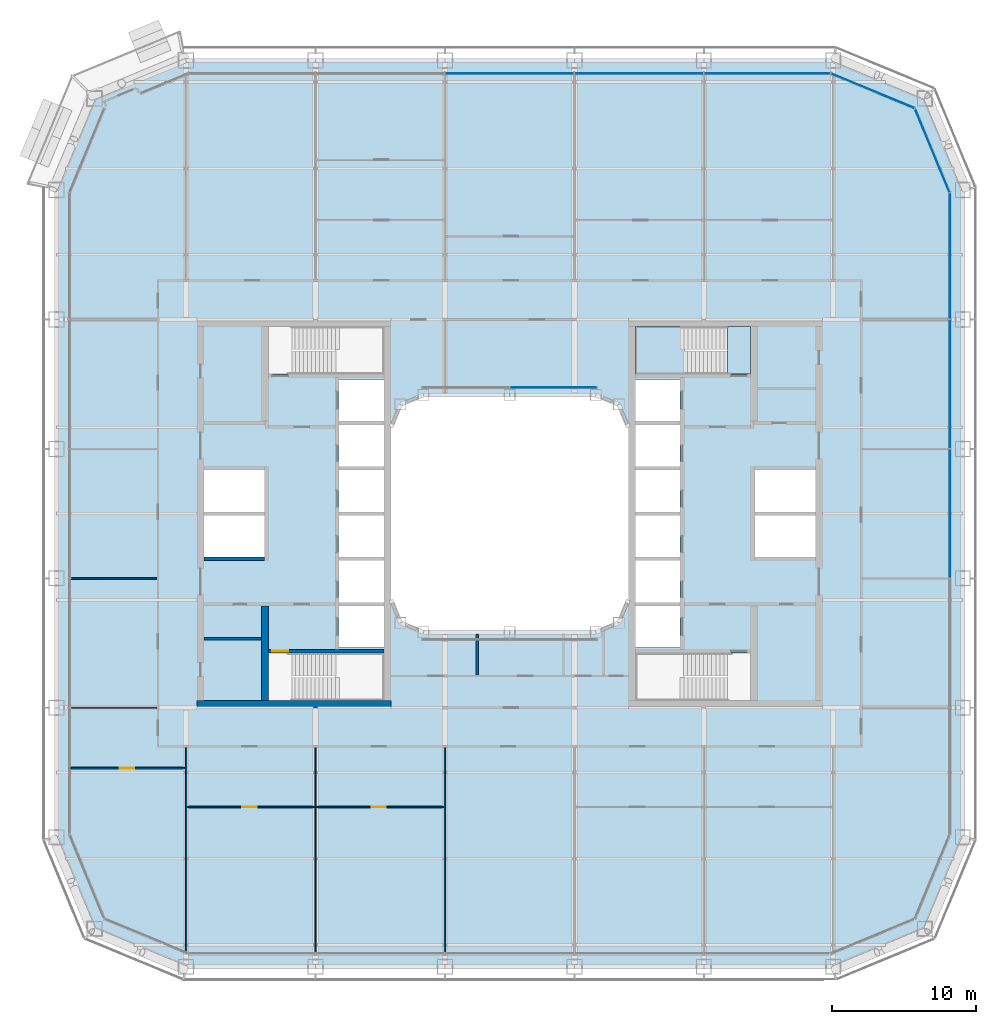
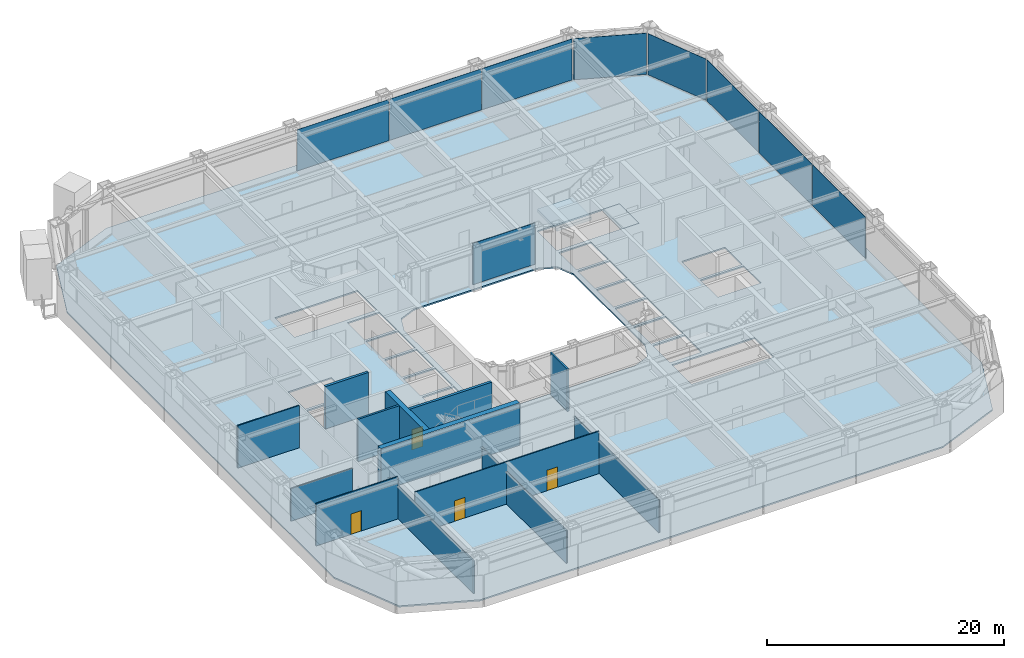
# One storey, part 12 of 28: 14 walls, 9 plates, 4 doors, 3 slabs, 4 openings, 6 elements without a shape of their own.
"""IFC4 building model written with IfcOpenShell, lengths in metres."""

import ifcopenshell
import ifcopenshell.guid

model = None  # the IFC model being written
_history = None  # IfcOwnerHistory: only IFC2X3 demands one
_inside = {}  # id of a spatial element -> (the spatial element, [elements in it])
_under = {}  # id of a project, library or spatial element -> (it, [spatial elements below it])
_declared = {}  # id of a project -> (the project, [libraries it declares])
_typed = {}  # id of a type object -> (the type object, [elements of that type])
_made_of = {}  # id of a material, layer set ... -> (it, [elements and type objects made of it])


def new_model(schema):
    """Start an empty IFC model of exactly this schema.

    Asked for "IFC4X3", IfcOpenShell would pick the latest addendum, in which some entities
    have other attributes; the version numbers below select the first issue.
    IFC2X3 requires an IfcOwnerHistory on every rooted entity: one is made here for all.
    """
    global model, _history
    if schema == "IFC4X3":
        model = ifcopenshell.file(schema_version=(4, 3, 0, 0))
    else:
        model = ifcopenshell.file(schema=schema)
    _inside.clear()
    _under.clear()
    _declared.clear()
    _typed.clear()
    _made_of.clear()
    _history = None
    if model.schema == "IFC2X3":
        org = make("IfcOrganization", Name="unknown")
        user = make(
            "IfcPersonAndOrganization",
            ThePerson=make("IfcPerson", FamilyName="unknown"),
            TheOrganization=org,
        )
        app = make(
            "IfcApplication",
            ApplicationDeveloper=org,
            Version="unknown",
            ApplicationFullName="unknown",
            ApplicationIdentifier="unknown",
        )
        _history = make(
            "IfcOwnerHistory",
            OwningUser=user,
            OwningApplication=app,
            ChangeAction="ADDED",
            CreationDate=0,
        )
    return model


def make(cls, **values):
    """One entity of the class cls with the attributes given. An attribute that is None is left unset."""
    return model.create_entity(
        cls, **{name: value for name, value in values.items() if value is not None}
    )


def rooted(cls, **values):
    """An entity with a GlobalId (a new one), such as an element, a storey or a relation."""
    return make(cls, GlobalId=ifcopenshell.guid.new(), OwnerHistory=_history, **values)


def si_unit(unit_type, name, prefix=None):
    """IfcSIUnit, for example si_unit("LENGTHUNIT", "METRE", prefix="MILLI")."""
    return make("IfcSIUnit", UnitType=unit_type, Prefix=prefix, Name=name)


def assignment(units):
    """IfcUnitAssignment: the units of a project."""
    return None if units is None else make("IfcUnitAssignment", Units=units)


def point(xyz):
    """IfcCartesianPoint."""
    return None if xyz is None else make("IfcCartesianPoint", Coordinates=xyz)


def direction(xyz):
    """IfcDirection."""
    return None if xyz is None else make("IfcDirection", DirectionRatios=xyz)


def frame(location, z_axis=None, x_axis=None):
    """IfcAxis2Placement3D, a coordinate frame: its origin and axes. An axis left out is left unset."""
    return make(
        "IfcAxis2Placement3D",
        Location=point(location),
        Axis=direction(z_axis),
        RefDirection=direction(x_axis),
    )


def frame_2d(location, x_axis=None):
    """IfcAxis2Placement2D, a coordinate frame in the plane: its origin and x axis."""
    return make(
        "IfcAxis2Placement2D", Location=point(location), RefDirection=direction(x_axis)
    )


def origin():
    """The frame at (0, 0, 0) with its axes left unset."""
    return frame((0.0, 0.0, 0.0))


def origin_2d():
    """The frame at (0, 0) in the plane with its x axis left unset."""
    return frame_2d((0.0, 0.0))


def place(relative_to, where):
    """IfcLocalPlacement: puts the frame where relative to a parent placement (None: the world)."""
    return make(
        "IfcLocalPlacement", PlacementRelTo=relative_to, RelativePlacement=where
    )


def context(
    kind, dimensions, precision=None, world=None, true_north=None, identifier=None
):
    """IfcGeometricRepresentationContext, for example the 3D "Model" context."""
    return make(
        "IfcGeometricRepresentationContext",
        ContextIdentifier=identifier,
        ContextType=kind,
        CoordinateSpaceDimension=dimensions,
        Precision=precision,
        WorldCoordinateSystem=world,
        TrueNorth=true_north,
    )


def subcontext(parent, identifier, kind, view, scale=None):
    """IfcGeometricRepresentationSubContext, for example "Body" below "Model"."""
    return make(
        "IfcGeometricRepresentationSubContext",
        ContextIdentifier=identifier,
        ContextType=kind,
        ParentContext=parent,
        TargetScale=scale,
        TargetView=view,
    )


def project(units=None, contexts=None):
    """IfcProject with its units and contexts."""
    return rooted(
        "IfcProject",
        Name="project",
        RepresentationContexts=contexts,
        UnitsInContext=assignment(units),
    )


def spatial(cls, under=None, at=None, **own):
    """A site, building, storey or space (cls), placed at a placement, below another one or the project."""
    s = rooted(cls, ObjectPlacement=at, **own)
    if under is not None:
        _under.setdefault(under.id(), (under, []))[1].append(s)
    return s


def polyline(points):
    """IfcPolyline through the points."""
    return make("IfcPolyline", Points=[point(p) for p in points])


def profile(cls, at=None, kind="AREA", **sizes):
    """A parametric profile (cls). Its sizes go by their IFC names, for example OverallWidth=200.0."""
    return make(cls, ProfileType=kind, Position=at, **sizes)


def rectangle(**sizes):
    """IfcRectangleProfileDef."""
    return profile("IfcRectangleProfileDef", **sizes)


def outline(outer, holes=None, kind="AREA"):
    """IfcArbitraryClosedProfileDef: a profile drawn as a closed curve; with holes, ...WithVoids."""
    if holes is None:
        return make("IfcArbitraryClosedProfileDef", ProfileType=kind, OuterCurve=outer)
    return make(
        "IfcArbitraryProfileDefWithVoids",
        ProfileType=kind,
        OuterCurve=outer,
        InnerCurves=holes,
    )


def extrude(swept, where, along, depth):
    """IfcExtrudedAreaSolid: the profile swept, set in the frame where, extruded along a direction by depth."""
    return make(
        "IfcExtrudedAreaSolid",
        SweptArea=swept,
        Position=where,
        ExtrudedDirection=direction(along),
        Depth=depth,
    )


def shape(context_of_items, identifier, shape_type, items):
    """IfcShapeRepresentation: the items that make up one representation, for example the "Body"."""
    return make(
        "IfcShapeRepresentation",
        ContextOfItems=context_of_items,
        RepresentationIdentifier=identifier,
        RepresentationType=shape_type,
        Items=items,
    )


def material(Name=None, Category=None):
    """IfcMaterial."""
    return make("IfcMaterial", Name=Name, Category=Category)


def layer(
    of_material, thickness, ventilated=None, Name=None, Category=None, Priority=None
):
    """IfcMaterialLayer: one layer of a wall or slab, of a material (None: an air gap)."""
    return make(
        "IfcMaterialLayer",
        Material=of_material,
        LayerThickness=thickness,
        IsVentilated=ventilated,
        Name=Name,
        Category=Category,
        Priority=Priority,
    )


def layer_set(layers, Name=None):
    """IfcMaterialLayerSet."""
    return make("IfcMaterialLayerSet", MaterialLayers=layers, LayerSetName=Name)


def made_of(thing, what):
    """Note that an element or type object is made of a material, layer set ...; save() writes the relation."""
    if what is not None:
        _made_of.setdefault(what.id(), (what, []))[1].append(thing)
    return thing


def type_object(cls, material=None, **own):
    """A type object (cls), such as IfcWallType, which elements share."""
    return made_of(rooted(cls, **own), material)


def element(
    cls,
    number,
    at=None,
    inside=None,
    cuts=None,
    type_object=None,
    material=None,
    context=None,
    identifier="Body",
    shape_type=None,
    held_by="IfcProductDefinitionShape",
    body=None,
    shapes=None,
    **own,
):
    """One element of the class cls, such as IfcWall. Its Tag is "e" and its number.

    at: its placement. inside: the storey or other place that contains it. cuts: it is an
    opening in that element (IfcRelVoidsElement). A single representation is given by context,
    identifier, shape_type and body (its items); several are given by shapes. held_by: the class
    of the entity that holds the representations. save() writes the other relations.
    """
    e = rooted(cls, Tag="e%d" % number, ObjectPlacement=at, **own)
    if body is not None:
        shapes = [shape(context, identifier, shape_type, body)]
    if shapes is not None:
        e.Representation = make(held_by, Representations=shapes)
    if inside is not None:
        _inside.setdefault(inside.id(), (inside, []))[1].append(e)
    if cuts is not None:
        rooted(
            "IfcRelVoidsElement", RelatingBuildingElement=cuts, RelatedOpeningElement=e
        )
    if type_object is not None:
        _typed.setdefault(type_object.id(), (type_object, []))[1].append(e)
    return made_of(e, material)


def fill(opening, filler):
    """IfcRelFillsElement: the door or window that sits in an opening."""
    return rooted(
        "IfcRelFillsElement",
        RelatingOpeningElement=opening,
        RelatedBuildingElement=filler,
    )


def aggregate(whole, parts):
    """IfcRelAggregates: a whole, such as a stair, and the parts it consists of."""
    return rooted("IfcRelAggregates", RelatingObject=whole, RelatedObjects=parts)


def save(model, path):
    """Write the relations noted so far, then the file.

    IfcRelAggregates (storeys below a building ...), IfcRelContainedInSpatialStructure (elements
    in a storey), IfcRelDefinesByType, IfcRelAssociatesMaterial and IfcRelDeclares: one each for
    every whole, place, type object, material and project.
    """
    for whole, parts in _under.values():
        aggregate(whole, parts)
    for where, things in _inside.values():
        rooted(
            "IfcRelContainedInSpatialStructure",
            RelatedElements=things,
            RelatingStructure=where,
        )
    for kind, things in _typed.values():
        rooted("IfcRelDefinesByType", RelatedObjects=things, RelatingType=kind)
    for what, things in _made_of.values():
        rooted("IfcRelAssociatesMaterial", RelatedObjects=things, RelatingMaterial=what)
    for by, libraries in _declared.values():
        rooted("IfcRelDeclares", RelatingContext=by, RelatedDefinitions=libraries)
    model.write(path)


model = new_model("IFC4")

# Units and contexts
model_context = context("Model", 3, precision=1e-05, world=origin(), true_north=direction((0.0, 1.0)))
body_context = subcontext(model_context, "Body", "Model", "MODEL_VIEW")
ifc_project = project(units=[si_unit("LENGTHUNIT", "METRE"), si_unit("AREAUNIT", "SQUARE_METRE"), si_unit("VOLUMEUNIT", "CUBIC_METRE"), si_unit("PLANEANGLEUNIT", "RADIAN"), si_unit("MASSUNIT", "GRAM", prefix="KILO")], contexts=[model_context])

# Site, building, storey
site_placement = place(None, origin())
site = spatial("IfcSite", under=ifc_project, at=site_placement, CompositionType="ELEMENT")
building_placement = place(site_placement, origin())
building = spatial("IfcBuilding", under=site, at=building_placement, Name="Siwar Civic Tower", CompositionType="ELEMENT")
storey_placement = place(building_placement, frame((0.0, 0.0, 31.199951171875)))
storey = spatial("IfcBuildingStorey", under=building, at=storey_placement, Name="L06", CompositionType="ELEMENT", Elevation=31.199951171875)

# Stair, slabs
ifc_material_1 = material(Name="Concrete C40/50", Category="concrete")
stair_type = type_object("IfcStairType", Name="CORE-STAIR", PredefinedType="TWO_STRAIGHT_RUN_STAIR", material=ifc_material_1)
stair_placement = place(storey_placement, origin())
stair = element("IfcStair", 1, at=stair_placement, inside=storey, type_object=stair_type, Name="Exit stair ST3", PredefinedType="TWO_STRAIGHT_RUN_STAIR")
ifc_material_2 = material(Name="Concrete C40/50", Category="concrete")
ifc_layer_1 = layer(ifc_material_2, 0.300048828125)
ifc_layer_set_1 = layer_set([ifc_layer_1], Name="Concrete C40/50")
slab_type_1 = type_object("IfcSlabType", Name="CORE-STAIR-LANDING", PredefinedType="LANDING", material=ifc_layer_set_1)
slab_1_placement = place(storey_placement, frame((0.0, 0.0, -0.300048828125)))
slab_1 = element("IfcSlab", 2, at=slab_1_placement, type_object=slab_type_1, Name="ST3 landing 1", PredefinedType="LANDING", context=body_context, shape_type="SweptSolid", body=[
    extrude(outline(polyline([(15.14990234375, 9.699951171875), (16.75, 9.699951171875), (16.75, 13.0), (15.14990234375, 13.0), (15.14990234375, 9.699951171875)])), origin(), (0.0, 0.0, 1.0), 0.300048828125),
])
slab_2_placement = place(storey_placement, frame((0.0, 0.0, 1.949951171875)))
slab_2 = element("IfcSlab", 3, at=slab_2_placement, type_object=slab_type_1, Name="ST3 landing 2", PredefinedType="LANDING", context=body_context, shape_type="SweptSolid", body=[
    extrude(outline(polyline([(8.75, 9.699951171875), (12.139892578125, 9.699951171875), (12.139892578125, 13.0), (8.75, 13.0), (8.75, 9.699951171875)])), origin(), (0.0, 0.0, 1.0), 0.300048828125),
])
aggregate(stair, [slab_1, slab_2])

# Curtain wall, plates
ifc_material_3 = material(Name="Aluminium and glass", Category="aluminium")
ifc_layer_2 = layer(ifc_material_3, 0.219970703125)
ifc_layer_set_2 = layer_set([ifc_layer_2], Name="Aluminium and glass")
curtain_wall_type_1 = type_object("IfcCurtainWallType", Name="ENV-CW-A", PredefinedType="NOTDEFINED", material=ifc_layer_set_2)
curtain_wall_1_placement = place(storey_placement, origin())
curtain_wall_1 = element("IfcCurtainWall", 4, at=curtain_wall_1_placement, inside=storey, type_object=curtain_wall_type_1, Name="Curtain wall A E", PredefinedType="NOTDEFINED")
ifc_material_4 = material(Name="Glass clear laminated", Category="glass")
ifc_layer_3 = layer(ifc_material_4, 0.035888671875)
ifc_layer_set_3 = layer_set([ifc_layer_3], Name="Glass clear laminated")
plate_type_1 = type_object("IfcPlateType", Name="ENV-PANEL-A", PredefinedType="CURTAIN_PANEL", material=ifc_layer_set_3)
plate_1_placement = place(storey_placement, frame((30.60009765625, 0.0, 0.1201171875), z_axis=(0.0, 0.0, 1.0), x_axis=(0.0, 1.0, 0.0)))
plate_1 = element("IfcPlate", 5, at=plate_1_placement, type_object=plate_type_1, Name="Curtain panel A E 3", PredefinedType="CURTAIN_PANEL", context=body_context, shape_type="SweptSolid", body=[
    extrude(rectangle(XDim=8.929931640625, YDim=0.035888671875, at=origin_2d()), origin(), (0.0, 0.0, 1.0), 4.22998046875),
])
plate_2_placement = place(storey_placement, frame((30.60009765625, 9.0, 0.1201171875), z_axis=(0.0, 0.0, 1.0), x_axis=(0.0, 1.0, 0.0)))
plate_2 = element("IfcPlate", 6, at=plate_2_placement, type_object=plate_type_1, Name="Curtain panel A E 4", PredefinedType="CURTAIN_PANEL", context=body_context, shape_type="SweptSolid", body=[
    extrude(rectangle(XDim=8.929931640625, YDim=0.035888671875, at=origin_2d()), origin(), (0.0, 0.0, 1.0), 4.22998046875),
])
plate_3_placement = place(storey_placement, frame((30.60009765625, 17.86669921875, 0.1201171875), z_axis=(0.0, 0.0, 1.0), x_axis=(0.0, 1.0, 0.0)))
plate_3 = element("IfcPlate", 7, at=plate_3_placement, type_object=plate_type_1, Name="Curtain panel A E 5", PredefinedType="CURTAIN_PANEL", context=body_context, shape_type="SweptSolid", body=[
    extrude(rectangle(XDim=8.663330078125, YDim=0.035888671875, at=origin_2d()), origin(), (0.0, 0.0, 1.0), 4.22998046875),
])
aggregate(curtain_wall_1, [plate_1, plate_2, plate_3])

curtain_wall_2_placement = place(storey_placement, origin())
curtain_wall_2 = element("IfcCurtainWall", 8, at=curtain_wall_2_placement, inside=storey, type_object=curtain_wall_type_1, Name="Curtain wall A N", PredefinedType="NOTDEFINED")
plate_4_placement = place(storey_placement, frame((17.910400390625, 30.60009765625, 0.1201171875), z_axis=(0.0, 0.0, 1.0), x_axis=(-1.0, 0.0, 0.0)))
plate_4 = element("IfcPlate", 9, at=plate_4_placement, type_object=plate_type_1, Name="Curtain panel A N 1", PredefinedType="CURTAIN_PANEL", context=body_context, shape_type="SweptSolid", body=[
    extrude(rectangle(XDim=8.7509765625, YDim=0.035888671875, at=origin_2d()), origin(), (0.0, 0.0, 1.0), 4.22998046875),
])
plate_5_placement = place(storey_placement, frame((9.0, 30.60009765625, 0.1201171875), z_axis=(0.0, 0.0, 1.0), x_axis=(-1.0, 0.0, 0.0)))
plate_5 = element("IfcPlate", 10, at=plate_5_placement, type_object=plate_type_1, Name="Curtain panel A N 2", PredefinedType="CURTAIN_PANEL", context=body_context, shape_type="SweptSolid", body=[
    extrude(rectangle(XDim=8.929931640625, YDim=0.035888671875, at=origin_2d()), origin(), (0.0, 0.0, 1.0), 4.22998046875),
])
plate_6_placement = place(storey_placement, frame((0.0, 30.60009765625, 0.1201171875), z_axis=(0.0, 0.0, 1.0), x_axis=(-1.0, 0.0, 0.0)))
plate_6 = element("IfcPlate", 11, at=plate_6_placement, type_object=plate_type_1, Name="Curtain panel A N 3", PredefinedType="CURTAIN_PANEL", context=body_context, shape_type="SweptSolid", body=[
    extrude(rectangle(XDim=8.929931640625, YDim=0.035888671875, at=origin_2d()), origin(), (0.0, 0.0, 1.0), 4.22998046875),
])
aggregate(curtain_wall_2, [plate_4, plate_5, plate_6])

# Curtain wall, plate
ifc_material_5 = material(Name="Aluminium clad insulated panel", Category="aluminium")
ifc_layer_4 = layer(ifc_material_5, 0.219970703125)
ifc_layer_set_4 = layer_set([ifc_layer_4], Name="Aluminium clad insulated panel")
curtain_wall_type_2 = type_object("IfcCurtainWallType", Name="ENV-CW-AX", PredefinedType="NOTDEFINED", material=ifc_layer_set_4)
curtain_wall_3_placement = place(storey_placement, origin())
curtain_wall_3 = element("IfcCurtainWall", 12, at=curtain_wall_3_placement, inside=storey, type_object=curtain_wall_type_2, Name="Curtain wall A NE1", PredefinedType="NOTDEFINED")
ifc_material_6 = material(Name="Aluminium clad insulated panel", Category="aluminium")
ifc_layer_5 = layer(ifc_material_6, 0.035888671875)
ifc_layer_set_5 = layer_set([ifc_layer_5], Name="Aluminium clad insulated panel")
plate_type_2 = type_object("IfcPlateType", Name="ENV-PANEL-AX", PredefinedType="CURTAIN_PANEL", material=ifc_layer_set_5)
plate_7_placement = place(storey_placement, frame((29.404296875, 25.20751953125, 0.1201171875), z_axis=(0.0, 0.0, 1.0), x_axis=(-0.382683432365, 0.923879532511, 0.0)))
plate_7 = element("IfcPlate", 13, at=plate_7_placement, type_object=plate_type_2, Name="Curtain panel A NE1 1", PredefinedType="CURTAIN_PANEL", context=body_context, shape_type="SweptSolid", body=[
    extrude(rectangle(XDim=6.178955078125, YDim=0.035888671875, at=origin_2d()), origin(), (0.0, 0.0, 1.0), 4.22998046875),
])
aggregate(curtain_wall_3, [plate_7])

curtain_wall_4_placement = place(storey_placement, origin())
curtain_wall_4 = element("IfcCurtainWall", 14, at=curtain_wall_4_placement, inside=storey, type_object=curtain_wall_type_2, Name="Curtain wall A NE2", PredefinedType="NOTDEFINED")
plate_8_placement = place(storey_placement, frame((25.28857421875, 29.370849609375, 0.1201171875), z_axis=(0.0, 0.0, 1.0), x_axis=(-0.923879532511, 0.382683432365, 0.0)))
plate_8 = element("IfcPlate", 15, at=plate_8_placement, type_object=plate_type_2, Name="Curtain panel A NE2 1", PredefinedType="CURTAIN_PANEL", context=body_context, shape_type="SweptSolid", body=[
    extrude(rectangle(XDim=6.178955078125, YDim=0.035888671875, at=origin_2d()), origin(), (0.0, 0.0, 1.0), 4.22998046875),
])
aggregate(curtain_wall_4, [plate_8])

ifc_material_7 = material(Name="Aluminium and glass", Category="aluminium")
ifc_layer_6 = layer(ifc_material_7, 0.179931640625)
ifc_layer_set_6 = layer_set([ifc_layer_6], Name="Aluminium and glass")
curtain_wall_type_3 = type_object("IfcCurtainWallType", Name="ENV-CW-W", PredefinedType="NOTDEFINED", material=ifc_layer_set_6)
curtain_wall_5_placement = place(storey_placement, origin())
curtain_wall_5 = element("IfcCurtainWall", 16, at=curtain_wall_5_placement, inside=storey, type_object=curtain_wall_type_3, Name="Curtain wall W WN", PredefinedType="NOTDEFINED")
ifc_material_8 = material(Name="Glass clear laminated", Category="glass")
ifc_layer_7 = layer(ifc_material_8, 0.031982421875)
ifc_layer_set_7 = layer_set([ifc_layer_7], Name="Glass clear laminated")
plate_type_3 = type_object("IfcPlateType", Name="ENV-PANEL-W", PredefinedType="CURTAIN_PANEL", material=ifc_layer_set_7)
plate_9_placement = place(storey_placement, frame((3.05078125, 8.760009765625, 0.10009765625), z_axis=(0.0, 0.0, 1.0), x_axis=(-1.0, 0.0, 0.0)))
plate_9 = element("IfcPlate", 17, at=plate_9_placement, type_object=plate_type_3, Name="Curtain panel W WN 1", PredefinedType="CURTAIN_PANEL", context=body_context, shape_type="SweptSolid", body=[
    extrude(rectangle(XDim=6.04150390625, YDim=0.031982421875, at=origin_2d()), origin(), (0.0, 0.0, 1.0), 4.25),
])
aggregate(curtain_wall_5, [plate_9])

# Slab
ifc_material_9 = material(Name="Concrete C40/50", Category="concrete")
ifc_layer_8 = layer(ifc_material_9, 0.14990234375)
ifc_layer_set_8 = layer_set([ifc_layer_8], Name="Concrete C40/50")
slab_type_2 = type_object("IfcSlabType", Name="STR-FLOOR-DECK-150", PredefinedType="FLOOR", material=ifc_layer_set_8)
slab_3_placement = place(storey_placement, frame((0.0, 0.0, -0.14990234375)))
element("IfcSlab", 18, at=slab_3_placement, inside=storey, type_object=slab_type_2, Name="L06/slab/1", PredefinedType="FLOOR", context=body_context, shape_type="SweptSolid", body=[
    extrude(outline(polyline([(-22.5, -31.5), (22.5, -31.5), (28.864013671875, -28.864013671875), (31.5, -22.5), (31.5, 22.5), (28.864013671875, 28.864013671875), (22.5, 31.5), (-22.5, 31.5), (-28.864013671875, 28.864013671875), (-31.5, 22.5), (-31.5, -22.5), (-28.864013671875, -28.864013671875), (-22.5, -31.5)]), holes=[polyline([(21.25, 3.02490234375), (21.25, 0.125), (17.050048828125, 0.125), (17.050048828125, 3.02490234375), (21.25, 3.02490234375)]), polyline([(17.050048828125, -0.125), (21.25, -0.125), (21.25, -3.02490234375), (17.050048828125, -3.02490234375), (17.050048828125, -0.125)]), polyline([(16.75, 13.0), (16.75, 9.699951171875), (8.75, 9.699951171875), (8.75, 13.0), (16.75, 13.0)]), polyline([(8.75, -9.699951171875), (16.75, -9.699951171875), (16.75, -13.0), (8.75, -13.0), (8.75, -9.699951171875)]), polyline([(11.85009765625, 9.324951171875), (11.85009765625, 6.425048828125), (8.75, 6.425048828125), (8.75, 9.324951171875), (11.85009765625, 9.324951171875)]), polyline([(11.85009765625, 3.02490234375), (11.85009765625, 0.125), (8.75, 0.125), (8.75, 3.02490234375), (11.85009765625, 3.02490234375)]), polyline([(11.85009765625, -0.125), (11.85009765625, -3.02490234375), (8.75, -3.02490234375), (8.75, -0.125), (11.85009765625, -0.125)]), polyline([(11.85009765625, -3.27490234375), (11.85009765625, -6.175048828125), (8.75, -6.175048828125), (8.75, -3.27490234375), (11.85009765625, -3.27490234375)]), polyline([(8.75, 6.175048828125), (11.85009765625, 6.175048828125), (11.85009765625, 3.27490234375), (8.75, 3.27490234375), (8.75, 6.175048828125)]), polyline([(8.75, -6.425048828125), (11.85009765625, -6.425048828125), (11.85009765625, -9.324951171875), (8.75, -9.324951171875), (8.75, -6.425048828125)]), polyline([(-6.0, 8.25), (6.0, 8.25), (7.591064453125, 7.591064453125), (8.25, 6.0), (8.25, -6.0), (7.591064453125, -7.591064453125), (6.0, -8.25), (-6.0, -8.25), (-7.591064453125, -7.591064453125), (-8.25, -6.0), (-8.25, 6.0), (-7.591064453125, 7.591064453125), (-6.0, 8.25)]), polyline([(-8.75, 9.699951171875), (-16.75, 9.699951171875), (-16.75, 13.0), (-8.75, 13.0), (-8.75, 9.699951171875)]), polyline([(-8.75, 0.125), (-11.85009765625, 0.125), (-11.85009765625, 3.02490234375), (-8.75, 3.02490234375), (-8.75, 0.125)]), polyline([(-8.75, -6.175048828125), (-11.85009765625, -6.175048828125), (-11.85009765625, -3.27490234375), (-8.75, -3.27490234375), (-8.75, -6.175048828125)]), polyline([(-8.75, -9.324951171875), (-11.85009765625, -9.324951171875), (-11.85009765625, -6.425048828125), (-8.75, -6.425048828125), (-8.75, -9.324951171875)]), polyline([(-8.75, -13.0), (-16.75, -13.0), (-16.75, -9.699951171875), (-8.75, -9.699951171875), (-8.75, -13.0)]), polyline([(-11.85009765625, 6.425048828125), (-11.85009765625, 9.324951171875), (-8.75, 9.324951171875), (-8.75, 6.425048828125), (-11.85009765625, 6.425048828125)]), polyline([(-11.85009765625, 3.27490234375), (-11.85009765625, 6.175048828125), (-8.75, 6.175048828125), (-8.75, 3.27490234375), (-11.85009765625, 3.27490234375)]), polyline([(-11.85009765625, -3.02490234375), (-11.85009765625, -0.125), (-8.75, -0.125), (-8.75, -3.02490234375), (-11.85009765625, -3.02490234375)]), polyline([(-21.25, -3.02490234375), (-21.25, -0.125), (-17.050048828125, -0.125), (-17.050048828125, -3.02490234375), (-21.25, -3.02490234375)]), polyline([(-17.050048828125, 0.125), (-21.25, 0.125), (-21.25, 3.02490234375), (-17.050048828125, 3.02490234375), (-17.050048828125, 0.125)])]), origin(), (0.0, 0.0, 1.0), 0.14990234375),
])

# Walls
ifc_material_10 = material(Name="Gypsum board on steel studs", Category="steel")
ifc_layer_9 = layer(ifc_material_10, 0.199951171875)
ifc_layer_set_9 = layer_set([ifc_layer_9], Name="Gypsum board on steel studs")
wall_type_1 = type_object("IfcWallType", Name="CORE-PARTITION-200", PredefinedType="PARTITIONING", material=ifc_layer_set_9)
wall_1_placement = place(storey_placement, frame((-17.25, -8.699951171875, 0.0), z_axis=(0.0, 0.0, 1.0), x_axis=(-1.0, 0.0, 0.0)))
element("IfcWall", 19, at=wall_1_placement, inside=storey, type_object=wall_type_1, Name="Core partition W", PredefinedType="PARTITIONING", context=body_context, shape_type="SweptSolid", body=[
    extrude(rectangle(XDim=4.0, YDim=0.199951171875, at=frame_2d((2.0, 0.0))), origin(), (0.0, 0.0, 1.0), 4.35009765625),
])
ifc_material_11 = material(Name="Concrete C60/75", Category="concrete")
ifc_layer_10 = layer(ifc_material_11, 0.25)
ifc_layer_set_10 = layer_set([ifc_layer_10], Name="Concrete C60/75")
wall_type_2 = type_object("IfcWallType", Name="CORE-WALL-RC250", PredefinedType="SHEAR", material=ifc_layer_set_10)
wall_2_placement = place(storey_placement, frame((-17.050048828125, -3.14990234375, 0.0), z_axis=(0.0, 0.0, 1.0), x_axis=(-1.0, 0.0, 0.0)))
element("IfcWall", 20, at=wall_2_placement, inside=storey, type_object=wall_type_2, Name="Core wall W", PredefinedType="SHEAR", context=body_context, shape_type="SweptSolid", body=[
    extrude(rectangle(XDim=4.199951171875, YDim=0.25, at=frame_2d((2.10009765625, 0.0))), origin(), (0.0, 0.0, 1.0), 4.35009765625),
])

# Wall, opening, door
wall_3_placement = place(storey_placement, frame((-8.75, -9.574951171875, 0.0), z_axis=(0.0, 0.0, 1.0), x_axis=(-1.0, 0.0, 0.0)))
wall_3 = element("IfcWall", 21, at=wall_3_placement, inside=storey, type_object=wall_type_2, Name="Core wall W", PredefinedType="SHEAR", context=body_context, shape_type="SweptSolid", body=[
    extrude(rectangle(XDim=8.0, YDim=0.25, at=frame_2d((4.0, 0.0))), origin(), (0.0, 0.0, 1.0), 4.35009765625),
])
opening_1_placement = place(wall_3_placement, frame((6.64990234375, 0.0, 0.0)))
opening_1 = element("IfcOpeningElement", 22, at=opening_1_placement, cuts=wall_3, Name="Opening L06-CW04", PredefinedType="OPENING", context=body_context, shape_type="SweptSolid", body=[
    extrude(rectangle(XDim=1.10009765625, YDim=2.10009765625, at=frame_2d((0.550048828125, 1.050048828125))), frame((0.0, 0.135009765625, 0.0), z_axis=(0.0, -1.0, 0.0), x_axis=(1.0, 0.0, 0.0)), (0.0, 0.0, 1.0), 0.27001953125),
])
ifc_material_12 = material(Name="Steel door leaf", Category="steel")
door_type_1 = type_object("IfcDoorType", Name="CORE-DOOR-FD60S", OperationType="SINGLE_SWING_LEFT", PredefinedType="DOOR", material=ifc_material_12)
door_1_placement = place(opening_1_placement, origin())
door_1 = element("IfcDoor", 23, at=door_1_placement, inside=storey, type_object=door_type_1, Name="Stair door L06-CW04", OperationType="SINGLE_SWING_LEFT", OverallHeight=2.10009765625, OverallWidth=1.10009765625, PredefinedType="DOOR", context=body_context, shape_type="SweptSolid", body=[
    extrude(rectangle(XDim=1.10009765625, YDim=2.10009765625, at=frame_2d((0.550048828125, 1.050048828125))), frame((0.0, 0.02490234375, 0.0), z_axis=(0.0, -1.0, 0.0), x_axis=(1.0, 0.0, 0.0)), (0.0, 0.0, 1.0), 0.050048828125),
])
fill(opening_1, door_1)

# Walls
ifc_material_13 = material(Name="Concrete C60/75", Category="concrete")
ifc_layer_11 = layer(ifc_material_13, 0.5)
ifc_layer_set_11 = layer_set([ifc_layer_11], Name="Concrete C60/75")
wall_type_3 = type_object("IfcWallType", Name="CORE-WALL-RC500", PredefinedType="SHEAR", material=ifc_layer_set_11)
wall_4_placement = place(storey_placement, frame((-17.0, -13.0, 0.0), z_axis=(0.0, 0.0, 1.0), x_axis=(0.0, 1.0, 0.0)))
element("IfcWall", 24, at=wall_4_placement, inside=storey, type_object=wall_type_3, Name="Core wall W", PredefinedType="SHEAR", context=body_context, shape_type="SweptSolid", body=[
    extrude(rectangle(XDim=6.574951171875, YDim=0.5, at=frame_2d((3.28759765625, 0.0))), origin(), (0.0, 0.0, 1.0), 4.35009765625),
])
wall_5_placement = place(storey_placement, frame((-8.25, -13.25, 0.0), z_axis=(0.0, 0.0, 1.0), x_axis=(-1.0, 0.0, 0.0)))
element("IfcWall", 25, at=wall_5_placement, inside=storey, type_object=wall_type_3, Name="Core wall W", PredefinedType="SHEAR", context=body_context, shape_type="SweptSolid", body=[
    extrude(rectangle(XDim=13.5, YDim=0.5, at=frame_2d((6.75, 0.0))), origin(), (0.0, 0.0, 1.0), 4.35009765625),
])
ifc_material_14 = material(Name="Gypsum board on steel studs", Category="steel")
ifc_layer_12 = layer(ifc_material_14, 0.14990234375)
ifc_layer_set_12 = layer_set([ifc_layer_12], Name="Gypsum board on steel studs")
wall_type_4 = type_object("IfcWallType", Name="CORRIDOR PARTITION 150 EI 30", PredefinedType="PARTITIONING", material=ifc_layer_set_12)
wall_6_placement = place(storey_placement, frame((-2.25, -11.22509765625, 0.0), z_axis=(0.0, 0.0, 1.0), x_axis=(0.0, 1.0, 0.0)))
element("IfcWall", 26, at=wall_6_placement, inside=storey, type_object=wall_type_4, Name="L06/wall/P31", PredefinedType="PARTITIONING", context=body_context, shape_type="SweptSolid", body=[
    extrude(rectangle(XDim=2.85498046875, YDim=0.14990234375, at=frame_2d((1.427490234375, 0.0))), origin(), (0.0, 0.0, 1.0), 4.35009765625),
])

# Wall, openings, doors
ifc_material_15 = material(Name="Gypsum board on steel studs", Category="steel")
ifc_layer_13 = layer(ifc_material_15, 0.10009765625)
ifc_layer_set_13 = layer_set([ifc_layer_13], Name="Gypsum board on steel studs")
wall_type_5 = type_object("IfcWallType", Name="PARTITION 100 GYPSUM", PredefinedType="PARTITIONING", material=ifc_layer_set_13)
wall_7_placement = place(storey_placement, frame((-22.449951171875, -20.39990234375, 0.0), z_axis=(0.0, 0.0, 1.0), x_axis=(1.0, 0.0, 0.0)))
wall_7 = element("IfcWall", 27, at=wall_7_placement, inside=storey, type_object=wall_type_5, Name="L06/wall/P01", PredefinedType="PARTITIONING", context=body_context, shape_type="SweptSolid", body=[
    extrude(rectangle(XDim=17.89990234375, YDim=0.10009765625, at=frame_2d((8.949951171875, 0.0))), origin(), (0.0, 0.0, 1.0), 4.35009765625),
])
opening_2_placement = place(wall_7_placement, frame((3.85009765625, 0.0, 0.0)))
opening_2 = element("IfcOpeningElement", 28, at=opening_2_placement, cuts=wall_7, Name="Opening D2", PredefinedType="OPENING", context=body_context, shape_type="SweptSolid", body=[
    extrude(rectangle(XDim=1.0, YDim=2.10009765625, at=frame_2d((0.5, 1.050048828125))), frame((0.0, 0.06005859375, 0.0), z_axis=(0.0, -1.0, 0.0), x_axis=(1.0, 0.0, 0.0)), (0.0, 0.0, 1.0), 0.1201171875),
])
opening_3_placement = place(wall_7_placement, frame((12.85009765625, 0.0, 0.0)))
opening_3 = element("IfcOpeningElement", 29, at=opening_3_placement, cuts=wall_7, Name="Opening D2", PredefinedType="OPENING", context=body_context, shape_type="SweptSolid", body=[
    extrude(rectangle(XDim=1.0, YDim=2.10009765625, at=frame_2d((0.5, 1.050048828125))), frame((0.0, 0.06005859375, 0.0), z_axis=(0.0, -1.0, 0.0), x_axis=(1.0, 0.0, 0.0)), (0.0, 0.0, 1.0), 0.1201171875),
])
ifc_material_16 = material(Name="Timber, painted", Category="wood")
door_type_2 = type_object("IfcDoorType", Name="DOOR 1000 X 2100", OperationType="SINGLE_SWING_LEFT", PredefinedType="DOOR", material=ifc_material_16)
door_2_placement = place(opening_2_placement, origin())
door_2 = element("IfcDoor", 30, at=door_2_placement, inside=storey, type_object=door_type_2, Name="L06-D12", OperationType="SINGLE_SWING_RIGHT", OverallHeight=2.10009765625, OverallWidth=1.0, PredefinedType="DOOR", context=body_context, shape_type="SweptSolid", body=[
    extrude(rectangle(XDim=1.0, YDim=2.10009765625, at=frame_2d((0.5, 1.050048828125))), frame((0.0, 0.02490234375, 0.0), z_axis=(0.0, -1.0, 0.0), x_axis=(1.0, 0.0, 0.0)), (0.0, 0.0, 1.0), 0.050048828125),
])
fill(opening_2, door_2)
door_3_placement = place(opening_3_placement, origin())
door_3 = element("IfcDoor", 31, at=door_3_placement, inside=storey, type_object=door_type_2, Name="L06-D14", OperationType="SINGLE_SWING_RIGHT", OverallHeight=2.10009765625, OverallWidth=1.0, PredefinedType="DOOR", context=body_context, shape_type="SweptSolid", body=[
    extrude(rectangle(XDim=1.0, YDim=2.10009765625, at=frame_2d((0.5, 1.050048828125))), frame((0.0, 0.02490234375, 0.0), z_axis=(0.0, -1.0, 0.0), x_axis=(1.0, 0.0, 0.0)), (0.0, 0.0, 1.0), 0.050048828125),
])
fill(opening_3, door_3)

# Wall, opening, door
wall_8_placement = place(storey_placement, frame((-30.510009765625, -17.699951171875, 0.0), z_axis=(0.0, 0.0, 1.0), x_axis=(1.0, 0.0, 0.0)))
wall_8 = element("IfcWall", 32, at=wall_8_placement, inside=storey, type_object=wall_type_5, Name="L06/wall/P03", PredefinedType="PARTITIONING", context=body_context, shape_type="SweptSolid", body=[
    extrude(rectangle(XDim=7.9599609375, YDim=0.10009765625, at=frame_2d((3.97998046875, 0.0))), origin(), (0.0, 0.0, 1.0), 4.35009765625),
])
opening_4_placement = place(wall_8_placement, frame((3.39990234375, 0.0, 0.0)))
opening_4 = element("IfcOpeningElement", 33, at=opening_4_placement, cuts=wall_8, Name="Opening D2", PredefinedType="OPENING", context=body_context, shape_type="SweptSolid", body=[
    extrude(rectangle(XDim=1.0, YDim=2.10009765625, at=frame_2d((0.5, 1.050048828125))), frame((0.0, 0.06005859375, 0.0), z_axis=(0.0, -1.0, 0.0), x_axis=(1.0, 0.0, 0.0)), (0.0, 0.0, 1.0), 0.1201171875),
])
door_4_placement = place(opening_4_placement, origin())
door_4 = element("IfcDoor", 34, at=door_4_placement, inside=storey, type_object=door_type_2, Name="L06-D23", OperationType="SINGLE_SWING_LEFT", OverallHeight=2.10009765625, OverallWidth=1.0, PredefinedType="DOOR", context=body_context, shape_type="SweptSolid", body=[
    extrude(rectangle(XDim=1.0, YDim=2.10009765625, at=frame_2d((0.5, 1.050048828125))), frame((0.0, 0.02490234375, 0.0), z_axis=(0.0, -1.0, 0.0), x_axis=(1.0, 0.0, 0.0)), (0.0, 0.0, 1.0), 0.050048828125),
])
fill(opening_4, door_4)

# Walls
wall_9_placement = place(storey_placement, frame((-30.510009765625, -13.5, 0.0), z_axis=(0.0, 0.0, 1.0), x_axis=(1.0, 0.0, 0.0)))
element("IfcWall", 35, at=wall_9_placement, inside=storey, type_object=wall_type_5, Name="L06/wall/P05", PredefinedType="PARTITIONING", context=body_context, shape_type="SweptSolid", body=[
    extrude(rectangle(XDim=5.985107421875, YDim=0.10009765625, at=frame_2d((2.99267578125, 0.0))), origin(), (0.0, 0.0, 1.0), 3.35009765625),
])
wall_10_placement = place(storey_placement, frame((-30.510009765625, -4.5, 0.0), z_axis=(0.0, 0.0, 1.0), x_axis=(1.0, 0.0, 0.0)))
element("IfcWall", 36, at=wall_10_placement, inside=storey, type_object=wall_type_5, Name="L06/wall/P10", PredefinedType="PARTITIONING", context=body_context, shape_type="SweptSolid", body=[
    extrude(rectangle(XDim=5.985107421875, YDim=0.10009765625, at=frame_2d((2.99267578125, 0.0))), origin(), (0.0, 0.0, 1.0), 4.35009765625),
])
wall_11_placement = place(storey_placement, frame((-22.5, -30.427978515625, 0.0), z_axis=(0.0, 0.0, 1.0), x_axis=(0.0, 1.0, 0.0)))
element("IfcWall", 37, at=wall_11_placement, inside=storey, type_object=wall_type_5, Name="L06/wall/P23", PredefinedType="PARTITIONING", context=body_context, shape_type="SweptSolid", body=[
    extrude(rectangle(XDim=14.153076171875, YDim=0.10009765625, at=frame_2d((7.07666015625, 0.0))), origin(), (0.0, 0.0, 1.0), 3.35009765625),
])
wall_12_placement = place(storey_placement, frame((-13.5, -30.510009765625, 0.0), z_axis=(0.0, 0.0, 1.0), x_axis=(0.0, 1.0, 0.0)))
element("IfcWall", 38, at=wall_12_placement, inside=storey, type_object=wall_type_5, Name="L06/wall/P25", PredefinedType="PARTITIONING", context=body_context, shape_type="SweptSolid", body=[
    extrude(rectangle(XDim=10.06005859375, YDim=0.10009765625, at=frame_2d((5.030029296875, 0.0))), origin(), (0.0, 0.0, 1.0), 3.35009765625),
])
wall_13_placement = place(storey_placement, frame((-13.5, -20.35009765625, 0.0), z_axis=(0.0, 0.0, 1.0), x_axis=(0.0, 1.0, 0.0)))
element("IfcWall", 39, at=wall_13_placement, inside=storey, type_object=wall_type_5, Name="L06/wall/P26", PredefinedType="PARTITIONING", context=body_context, shape_type="SweptSolid", body=[
    extrude(rectangle(XDim=4.0751953125, YDim=0.10009765625, at=frame_2d((2.03759765625, 0.0))), origin(), (0.0, 0.0, 1.0), 3.35009765625),
])
wall_14_placement = place(storey_placement, frame((-4.5, -30.510009765625, 0.0), z_axis=(0.0, 0.0, 1.0), x_axis=(0.0, 1.0, 0.0)))
element("IfcWall", 40, at=wall_14_placement, inside=storey, type_object=wall_type_5, Name="L06/wall/P28", PredefinedType="PARTITIONING", context=body_context, shape_type="SweptSolid", body=[
    extrude(rectangle(XDim=14.235107421875, YDim=0.10009765625, at=frame_2d((7.11767578125, 0.0))), origin(), (0.0, 0.0, 1.0), 3.35009765625),
])

save(model, "model.ifc")
